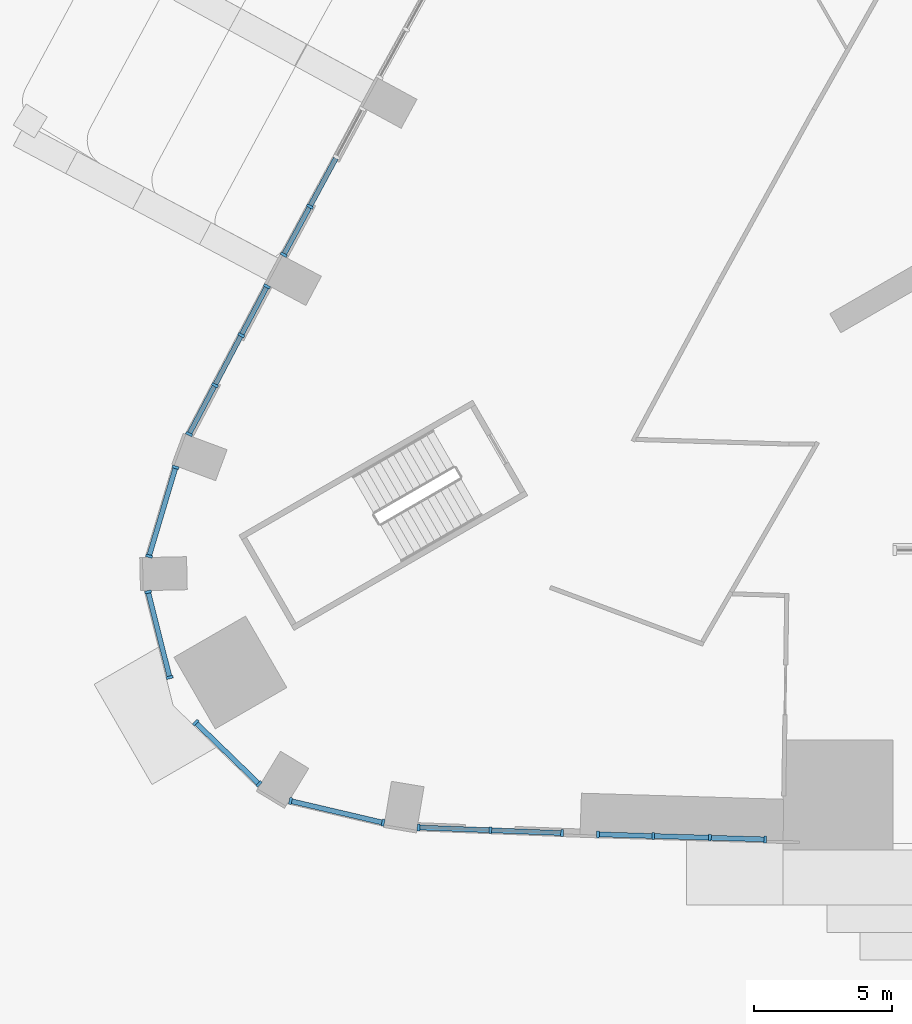
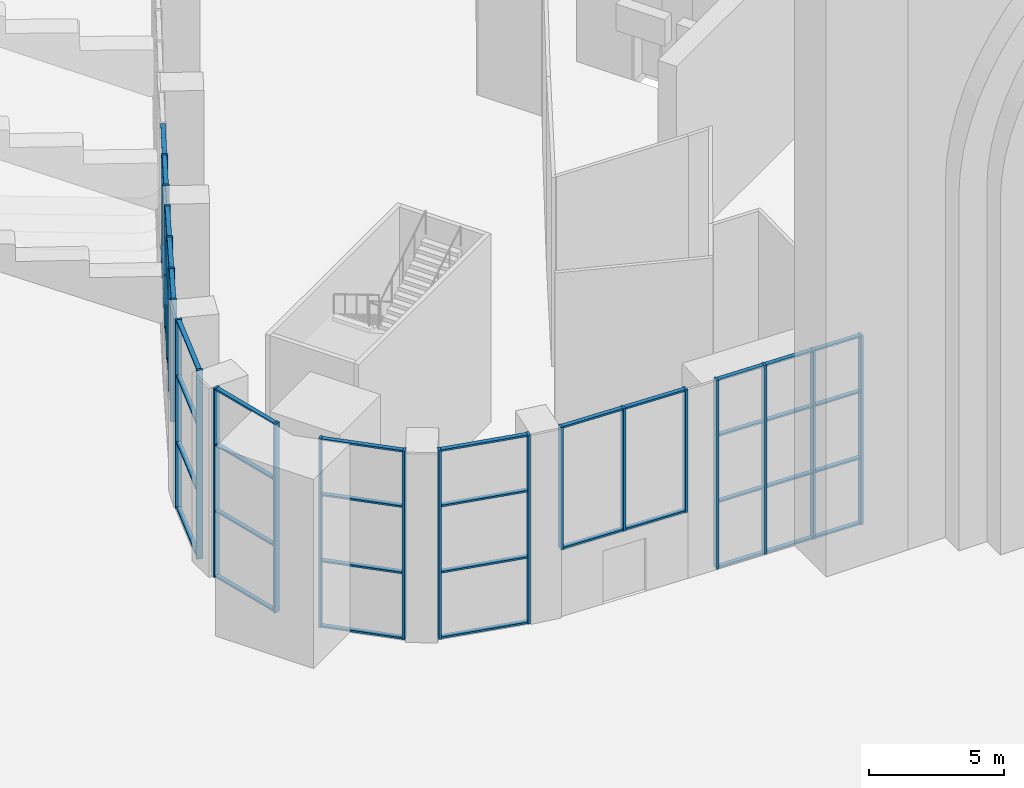
# One storey, part 2 of 36: 63 members, 8 elements without a shape of their own.
"""IFC4 building model written with IfcOpenShell, lengths in metres."""

from ifc_helpers import new_model, si_unit, direction, frame, origin, origin_2d, place, context, subcontext, project, spatial, rectangle, extrude, material, material_profile, profile_set, type_object, element, aggregate, save


model = new_model("IFC4")

# Units and contexts
model_context = context("Model", 3, precision=1e-05, world=origin(), true_north=direction((0.0, 1.0)))
body_context = subcontext(model_context, "Body", "Model", "MODEL_VIEW")
ifc_project = project(units=[si_unit("LENGTHUNIT", "METRE"), si_unit("AREAUNIT", "SQUARE_METRE"), si_unit("VOLUMEUNIT", "CUBIC_METRE"), si_unit("PLANEANGLEUNIT", "RADIAN"), si_unit("MASSUNIT", "GRAM", prefix="KILO")], contexts=[model_context])

# Site, building, storey
site_placement = place(None, origin())
site = spatial("IfcSite", under=ifc_project, at=site_placement, CompositionType="ELEMENT")
building_placement = place(site_placement, origin())
building = spatial("IfcBuilding", under=site, at=building_placement, Name="Entoto Arch Interchange Tower", CompositionType="ELEMENT")
storey_placement = place(building_placement, origin())
storey = spatial("IfcBuildingStorey", under=building, at=storey_placement, Name="L00", CompositionType="ELEMENT", Elevation=0.0)

# Curtain wall, members
ifc_material = material(Name="Aluminium, anodised", Category="aluminium")
curtain_wall_type = type_object("IfcCurtainWallType", Name="CURTAIN WALL GATE HALL", PredefinedType="NOTDEFINED", material=ifc_material)
curtain_wall_1_placement = place(storey_placement, origin())
curtain_wall_1 = element("IfcCurtainWall", 1, at=curtain_wall_1_placement, inside=storey, type_object=curtain_wall_type, Name="Gate Hall glazing S-01 L00", PredefinedType="NOTDEFINED")
ifc_material_profile_1 = material_profile(ifc_material, rectangle(XDim=0.25, YDim=0.10009765625, at=origin_2d()))
ifc_profile_set_1 = profile_set([ifc_material_profile_1], Name="Aluminium, anodised")
member_type_1 = type_object("IfcMemberType", Name="MULLION GATE HALL 100x250", PredefinedType="MULLION", material=ifc_profile_set_1)
member_1_placement = place(storey_placement, frame((-32.234130859375, -28.18505859375, 3.0), z_axis=(0.0, 0.0, 1.0), x_axis=(0.039141357085, 0.999233683462, 0.0)))
member_1 = element("IfcMember", 2, at=member_1_placement, type_object=member_type_1, Name="CWG mullion 1", PredefinedType="MULLION", context=body_context, shape_type="SweptSolid", body=[
    extrude(rectangle(XDim=0.25, YDim=0.10009765625, at=origin_2d()), origin(), (0.0, 0.0, 1.0), 5.550048828125),
])
member_2_placement = place(storey_placement, frame((-29.62890625, -28.287109375, 3.0), z_axis=(0.0, 0.0, 1.0), x_axis=(0.039141357085, 0.999233683462, 0.0)))
member_2 = element("IfcMember", 3, at=member_2_placement, type_object=member_type_1, Name="CWG mullion 2", PredefinedType="MULLION", context=body_context, shape_type="SweptSolid", body=[
    extrude(rectangle(XDim=0.25, YDim=0.10009765625, at=origin_2d()), origin(), (0.0, 0.0, 1.0), 5.550048828125),
])
member_3_placement = place(storey_placement, frame((-27.02392578125, -28.38916015625, 3.0), z_axis=(0.0, 0.0, 1.0), x_axis=(0.039141357085, 0.999233683462, 0.0)))
member_3 = element("IfcMember", 4, at=member_3_placement, type_object=member_type_1, Name="CWG mullion 3", PredefinedType="MULLION", context=body_context, shape_type="SweptSolid", body=[
    extrude(rectangle(XDim=0.25, YDim=0.10009765625, at=origin_2d()), origin(), (0.0, 0.0, 1.0), 5.550048828125),
])

curtain_wall_2_placement = place(storey_placement, origin())
curtain_wall_2 = element("IfcCurtainWall", 5, at=curtain_wall_2_placement, inside=storey, type_object=curtain_wall_type, Name="Gate Hall glazing S-02 L00", PredefinedType="NOTDEFINED")
member_4_placement = place(storey_placement, frame((-25.721923828125, -28.4345703125, 0.0), z_axis=(0.0, 0.0, 1.0), x_axis=(0.030117547985, 0.999546363759, 0.0)))
member_4 = element("IfcMember", 6, at=member_4_placement, type_object=member_type_1, Name="CWG mullion 1", PredefinedType="MULLION", context=body_context, shape_type="SweptSolid", body=[
    extrude(rectangle(XDim=0.25, YDim=0.10009765625, at=origin_2d()), origin(), (0.0, 0.0, 1.0), 8.550048828125),
])
member_5_placement = place(storey_placement, frame((-23.71435546875, -28.4951171875, 0.0), z_axis=(0.0, 0.0, 1.0), x_axis=(0.030117547985, 0.999546363759, 0.0)))
member_5 = element("IfcMember", 7, at=member_5_placement, type_object=member_type_1, Name="CWG mullion 2", PredefinedType="MULLION", context=body_context, shape_type="SweptSolid", body=[
    extrude(rectangle(XDim=0.25, YDim=0.10009765625, at=origin_2d()), origin(), (0.0, 0.0, 1.0), 8.550048828125),
])
member_6_placement = place(storey_placement, frame((-21.65673828125, -28.556884765625, 0.0), z_axis=(0.0, 0.0, 1.0), x_axis=(0.030117547985, 0.999546363759, 0.0)))
member_6 = element("IfcMember", 8, at=member_6_placement, type_object=member_type_1, Name="CWG mullion 3", PredefinedType="MULLION", context=body_context, shape_type="SweptSolid", body=[
    extrude(rectangle(XDim=0.25, YDim=0.10009765625, at=origin_2d()), origin(), (0.0, 0.0, 1.0), 8.550048828125),
])
member_7_placement = place(storey_placement, frame((-19.64892578125, -28.617431640625, 0.0), z_axis=(0.0, 0.0, 1.0), x_axis=(0.030117547985, 0.999546363759, 0.0)))
member_7 = element("IfcMember", 9, at=member_7_placement, type_object=member_type_1, Name="CWG mullion 4", PredefinedType="MULLION", context=body_context, shape_type="SweptSolid", body=[
    extrude(rectangle(XDim=0.25, YDim=0.10009765625, at=origin_2d()), origin(), (0.0, 0.0, 1.0), 8.550048828125),
])

curtain_wall_3_placement = place(storey_placement, origin())
curtain_wall_3 = element("IfcCurtainWall", 10, at=curtain_wall_3_placement, inside=storey, type_object=curtain_wall_type, Name="Gate Hall glazing NW-08 L00", PredefinedType="NOTDEFINED")
member_8_placement = place(storey_placement, frame((-36.184326171875, -5.636962890625, 3.0), z_axis=(0.0, 0.0, 1.0), x_axis=(0.880240049886, -0.474528665706, 0.0)))
member_8 = element("IfcMember", 11, at=member_8_placement, type_object=member_type_1, Name="CWG mullion 3", PredefinedType="MULLION", context=body_context, shape_type="SweptSolid", body=[
    extrude(rectangle(XDim=0.25, YDim=0.10009765625, at=origin_2d()), origin(), (0.0, 0.0, 1.0), 5.550048828125),
])
member_9_placement = place(storey_placement, frame((-37.128173828125, -7.387939453125, 3.0), z_axis=(0.0, 0.0, 1.0), x_axis=(0.880240049886, -0.474528665706, 0.0)))
member_9 = element("IfcMember", 12, at=member_9_placement, type_object=member_type_1, Name="CWG mullion 4", PredefinedType="MULLION", context=body_context, shape_type="SweptSolid", body=[
    extrude(rectangle(XDim=0.25, YDim=0.10009765625, at=origin_2d()), origin(), (0.0, 0.0, 1.0), 5.550048828125),
])

curtain_wall_4_placement = place(storey_placement, origin())
curtain_wall_4 = element("IfcCurtainWall", 13, at=curtain_wall_4_placement, inside=storey, type_object=curtain_wall_type, Name="Gate Hall glazing NW-09 L00", PredefinedType="NOTDEFINED")
member_10_placement = place(storey_placement, frame((-37.7412109375, -8.537353515625, 3.0), z_axis=(0.0, 0.0, 1.0), x_axis=(0.884749196075, -0.46606744152, 0.0)))
member_10 = element("IfcMember", 14, at=member_10_placement, type_object=member_type_1, Name="CWG mullion 1", PredefinedType="MULLION", context=body_context, shape_type="SweptSolid", body=[
    extrude(rectangle(XDim=0.25, YDim=0.10009765625, at=origin_2d()), origin(), (0.0, 0.0, 1.0), 5.550048828125),
])
member_11_placement = place(storey_placement, frame((-38.67529296875, -10.310302734375, 3.0), z_axis=(0.0, 0.0, 1.0), x_axis=(0.884749196075, -0.46606744152, 0.0)))
member_11 = element("IfcMember", 15, at=member_11_placement, type_object=member_type_1, Name="CWG mullion 2", PredefinedType="MULLION", context=body_context, shape_type="SweptSolid", body=[
    extrude(rectangle(XDim=0.25, YDim=0.10009765625, at=origin_2d()), origin(), (0.0, 0.0, 1.0), 5.550048828125),
])
member_12_placement = place(storey_placement, frame((-39.632568359375, -12.127685546875, 3.0), z_axis=(0.0, 0.0, 1.0), x_axis=(0.884749196075, -0.46606744152, 0.0)))
member_12 = element("IfcMember", 16, at=member_12_placement, type_object=member_type_1, Name="CWG mullion 3", PredefinedType="MULLION", context=body_context, shape_type="SweptSolid", body=[
    extrude(rectangle(XDim=0.25, YDim=0.10009765625, at=origin_2d()), origin(), (0.0, 0.0, 1.0), 5.550048828125),
])
member_13_placement = place(storey_placement, frame((-40.566650390625, -13.90087890625, 3.0), z_axis=(0.0, 0.0, 1.0), x_axis=(0.884749196075, -0.46606744152, 0.0)))
member_13 = element("IfcMember", 17, at=member_13_placement, type_object=member_type_1, Name="CWG mullion 4", PredefinedType="MULLION", context=body_context, shape_type="SweptSolid", body=[
    extrude(rectangle(XDim=0.25, YDim=0.10009765625, at=origin_2d()), origin(), (0.0, 0.0, 1.0), 5.550048828125),
])

curtain_wall_5_placement = place(storey_placement, origin())
curtain_wall_5 = element("IfcCurtainWall", 18, at=curtain_wall_5_placement, inside=storey, type_object=curtain_wall_type, Name="Gate Hall glazing SW-01 L00", PredefinedType="NOTDEFINED")
member_14_placement = place(storey_placement, frame((-41.059326171875, -15.10595703125, 0.0), z_axis=(0.0, 0.0, 1.0), x_axis=(0.958293303264, -0.285786537329, 0.0)))
member_14 = element("IfcMember", 19, at=member_14_placement, type_object=member_type_1, Name="CWG mullion 1", PredefinedType="MULLION", context=body_context, shape_type="SweptSolid", body=[
    extrude(rectangle(XDim=0.25, YDim=0.10009765625, at=origin_2d()), origin(), (0.0, 0.0, 1.0), 8.550048828125),
])
member_15_placement = place(storey_placement, frame((-42.021728515625, -18.3330078125, 0.0), z_axis=(0.0, 0.0, 1.0), x_axis=(0.958293303264, -0.285786537329, 0.0)))
member_15 = element("IfcMember", 20, at=member_15_placement, type_object=member_type_1, Name="CWG mullion 2", PredefinedType="MULLION", context=body_context, shape_type="SweptSolid", body=[
    extrude(rectangle(XDim=0.25, YDim=0.10009765625, at=origin_2d()), origin(), (0.0, 0.0, 1.0), 8.550048828125),
])

curtain_wall_6_placement = place(storey_placement, origin())
curtain_wall_6 = element("IfcCurtainWall", 21, at=curtain_wall_6_placement, inside=storey, type_object=curtain_wall_type, Name="Gate Hall glazing SW-02 L00", PredefinedType="NOTDEFINED")
member_16_placement = place(storey_placement, frame((-42.056884765625, -19.632568359375, 0.0), z_axis=(0.0, 0.0, 1.0), x_axis=(0.969731246263, 0.244174753037, 0.0)))
member_16 = element("IfcMember", 22, at=member_16_placement, type_object=member_type_1, Name="CWG mullion 1", PredefinedType="MULLION", context=body_context, shape_type="SweptSolid", body=[
    extrude(rectangle(XDim=0.25, YDim=0.10009765625, at=origin_2d()), origin(), (0.0, 0.0, 1.0), 8.550048828125),
])
member_17_placement = place(storey_placement, frame((-41.275146484375, -22.736572265625, 0.0), z_axis=(0.0, 0.0, 1.0), x_axis=(0.969731246263, 0.244174753037, 0.0)))
member_17 = element("IfcMember", 23, at=member_17_placement, type_object=member_type_1, Name="CWG mullion 2", PredefinedType="MULLION", context=body_context, shape_type="SweptSolid", body=[
    extrude(rectangle(XDim=0.25, YDim=0.10009765625, at=origin_2d()), origin(), (0.0, 0.0, 1.0), 8.550048828125),
])

curtain_wall_7_placement = place(storey_placement, origin())
curtain_wall_7 = element("IfcCurtainWall", 24, at=curtain_wall_7_placement, inside=storey, type_object=curtain_wall_type, Name="Gate Hall glazing SW-03 L00", PredefinedType="NOTDEFINED")
member_18_placement = place(storey_placement, frame((-40.328125, -24.376708984375, 0.0), z_axis=(0.0, 0.0, 1.0), x_axis=(0.696424910406, 0.717629670628, 0.0)))
member_18 = element("IfcMember", 25, at=member_18_placement, type_object=member_type_1, Name="CWG mullion 1", PredefinedType="MULLION", context=body_context, shape_type="SweptSolid", body=[
    extrude(rectangle(XDim=0.25, YDim=0.10009765625, at=origin_2d()), origin(), (0.0, 0.0, 1.0), 8.550048828125),
])
member_19_placement = place(storey_placement, frame((-38.03076171875, -26.606201171875, 0.0), z_axis=(0.0, 0.0, 1.0), x_axis=(0.696424910406, 0.717629670628, 0.0)))
member_19 = element("IfcMember", 26, at=member_19_placement, type_object=member_type_1, Name="CWG mullion 2", PredefinedType="MULLION", context=body_context, shape_type="SweptSolid", body=[
    extrude(rectangle(XDim=0.25, YDim=0.10009765625, at=origin_2d()), origin(), (0.0, 0.0, 1.0), 8.550048828125),
])

curtain_wall_8_placement = place(storey_placement, origin())
curtain_wall_8 = element("IfcCurtainWall", 27, at=curtain_wall_8_placement, inside=storey, type_object=curtain_wall_type, Name="Gate Hall glazing SW-04 L00", PredefinedType="NOTDEFINED")
member_20_placement = place(storey_placement, frame((-36.88623046875, -27.223388671875, 0.0), z_axis=(0.0, 0.0, 1.0), x_axis=(0.228270531722, 0.973597742575, 0.0)))
member_20 = element("IfcMember", 28, at=member_20_placement, type_object=member_type_1, Name="CWG mullion 1", PredefinedType="MULLION", context=body_context, shape_type="SweptSolid", body=[
    extrude(rectangle(XDim=0.25, YDim=0.10009765625, at=origin_2d()), origin(), (0.0, 0.0, 1.0), 8.550048828125),
])
member_21_placement = place(storey_placement, frame((-33.524658203125, -28.011474609375, 0.0), z_axis=(0.0, 0.0, 1.0), x_axis=(0.228270531722, 0.973597742575, 0.0)))
member_21 = element("IfcMember", 29, at=member_21_placement, type_object=member_type_1, Name="CWG mullion 2", PredefinedType="MULLION", context=body_context, shape_type="SweptSolid", body=[
    extrude(rectangle(XDim=0.25, YDim=0.10009765625, at=origin_2d()), origin(), (0.0, 0.0, 1.0), 8.550048828125),
])

# Member
ifc_material_profile_2 = material_profile(ifc_material, rectangle(XDim=0.179931640625, YDim=0.080078125, at=origin_2d()))
ifc_profile_set_2 = profile_set([ifc_material_profile_2], Name="Aluminium, anodised")
member_type_2 = type_object("IfcMemberType", Name="TRANSOM GATE HALL 80x180", PredefinedType="USERDEFINED", material=ifc_profile_set_2)
member_22_placement = place(storey_placement, frame((-32.18408203125, -28.18701171875, 3.0400390625), z_axis=(0.999233445308, -0.039147436411, 0.0), x_axis=(0.039147436411, 0.999233445308, 0.0)))
member_22 = element("IfcMember", 30, at=member_22_placement, type_object=member_type_2, Name="CWG transom 1.1", ObjectType="TRANSOM", PredefinedType="USERDEFINED", context=body_context, shape_type="SweptSolid", body=[
    extrude(rectangle(XDim=0.179931640625, YDim=0.080078125, at=origin_2d()), origin(), (0.0, 0.0, 1.0), 2.507080078125),
])

member_23_placement = place(storey_placement, frame((-32.18408203125, -28.18701171875, 8.510009765625), z_axis=(0.999233445308, -0.039147436411, 0.0), x_axis=(0.039147436411, 0.999233445308, 0.0)))
member_23 = element("IfcMember", 31, at=member_23_placement, type_object=member_type_2, Name="CWG transom 1.2", ObjectType="TRANSOM", PredefinedType="USERDEFINED", context=body_context, shape_type="SweptSolid", body=[
    extrude(rectangle(XDim=0.179931640625, YDim=0.080078125, at=origin_2d()), origin(), (0.0, 0.0, 1.0), 2.507080078125),
])

member_24_placement = place(storey_placement, frame((-29.5791015625, -28.2890625, 3.0400390625), z_axis=(0.999233445308, -0.039147436411, 0.0), x_axis=(0.039147436411, 0.999233445308, 0.0)))
member_24 = element("IfcMember", 32, at=member_24_placement, type_object=member_type_2, Name="CWG transom 2.1", ObjectType="TRANSOM", PredefinedType="USERDEFINED", context=body_context, shape_type="SweptSolid", body=[
    extrude(rectangle(XDim=0.179931640625, YDim=0.080078125, at=origin_2d()), origin(), (0.0, 0.0, 1.0), 2.507080078125),
])

member_25_placement = place(storey_placement, frame((-29.5791015625, -28.2890625, 8.510009765625), z_axis=(0.999233445308, -0.039147436411, 0.0), x_axis=(0.039147436411, 0.999233445308, 0.0)))
member_25 = element("IfcMember", 33, at=member_25_placement, type_object=member_type_2, Name="CWG transom 2.2", ObjectType="TRANSOM", PredefinedType="USERDEFINED", context=body_context, shape_type="SweptSolid", body=[
    extrude(rectangle(XDim=0.179931640625, YDim=0.080078125, at=origin_2d()), origin(), (0.0, 0.0, 1.0), 2.507080078125),
])

aggregate(curtain_wall_1, [member_1, member_2, member_3, member_22, member_23, member_24, member_25])

member_26_placement = place(storey_placement, frame((-25.672119140625, -28.43603515625, 0.0400390625), z_axis=(0.999548077009, -0.030060634515, 0.0), x_axis=(0.030060634515, 0.999548077009, 0.0)))
member_26 = element("IfcMember", 34, at=member_26_placement, type_object=member_type_2, Name="CWG transom 1.1", ObjectType="TRANSOM", PredefinedType="USERDEFINED", context=body_context, shape_type="SweptSolid", body=[
    extrude(rectangle(XDim=0.179931640625, YDim=0.080078125, at=origin_2d()), origin(), (0.0, 0.0, 1.0), 1.90869140625),
])

member_27_placement = place(storey_placement, frame((-25.672119140625, -28.43603515625, 3.0), z_axis=(0.999548077009, -0.030060634515, 0.0), x_axis=(0.030060634515, 0.999548077009, 0.0)))
member_27 = element("IfcMember", 35, at=member_27_placement, type_object=member_type_2, Name="CWG transom 1.2", ObjectType="TRANSOM", PredefinedType="USERDEFINED", context=body_context, shape_type="SweptSolid", body=[
    extrude(rectangle(XDim=0.179931640625, YDim=0.080078125, at=origin_2d()), origin(), (0.0, 0.0, 1.0), 1.90869140625),
])

member_28_placement = place(storey_placement, frame((-25.672119140625, -28.43603515625, 6.0), z_axis=(0.999548077009, -0.030060634515, 0.0), x_axis=(0.030060634515, 0.999548077009, 0.0)))
member_28 = element("IfcMember", 36, at=member_28_placement, type_object=member_type_2, Name="CWG transom 1.3", ObjectType="TRANSOM", PredefinedType="USERDEFINED", context=body_context, shape_type="SweptSolid", body=[
    extrude(rectangle(XDim=0.179931640625, YDim=0.080078125, at=origin_2d()), origin(), (0.0, 0.0, 1.0), 1.90869140625),
])

member_29_placement = place(storey_placement, frame((-25.672119140625, -28.43603515625, 8.510009765625), z_axis=(0.999548077009, -0.030060634515, 0.0), x_axis=(0.030060634515, 0.999548077009, 0.0)))
member_29 = element("IfcMember", 37, at=member_29_placement, type_object=member_type_2, Name="CWG transom 1.4", ObjectType="TRANSOM", PredefinedType="USERDEFINED", context=body_context, shape_type="SweptSolid", body=[
    extrude(rectangle(XDim=0.179931640625, YDim=0.080078125, at=origin_2d()), origin(), (0.0, 0.0, 1.0), 1.90869140625),
])

member_30_placement = place(storey_placement, frame((-23.664306640625, -28.49658203125, 0.0400390625), z_axis=(0.99954869558, -0.030040059313, 0.0), x_axis=(0.030040059313, 0.99954869558, 0.0)))
member_30 = element("IfcMember", 38, at=member_30_placement, type_object=member_type_2, Name="CWG transom 2.1", ObjectType="TRANSOM", PredefinedType="USERDEFINED", context=body_context, shape_type="SweptSolid", body=[
    extrude(rectangle(XDim=0.179931640625, YDim=0.080078125, at=origin_2d()), origin(), (0.0, 0.0, 1.0), 1.958740234375),
])

member_31_placement = place(storey_placement, frame((-23.664306640625, -28.49658203125, 3.0), z_axis=(0.99954869558, -0.030040059313, 0.0), x_axis=(0.030040059313, 0.99954869558, 0.0)))
member_31 = element("IfcMember", 39, at=member_31_placement, type_object=member_type_2, Name="CWG transom 2.2", ObjectType="TRANSOM", PredefinedType="USERDEFINED", context=body_context, shape_type="SweptSolid", body=[
    extrude(rectangle(XDim=0.179931640625, YDim=0.080078125, at=origin_2d()), origin(), (0.0, 0.0, 1.0), 1.958740234375),
])

member_32_placement = place(storey_placement, frame((-23.664306640625, -28.49658203125, 6.0), z_axis=(0.99954869558, -0.030040059313, 0.0), x_axis=(0.030040059313, 0.99954869558, 0.0)))
member_32 = element("IfcMember", 40, at=member_32_placement, type_object=member_type_2, Name="CWG transom 2.3", ObjectType="TRANSOM", PredefinedType="USERDEFINED", context=body_context, shape_type="SweptSolid", body=[
    extrude(rectangle(XDim=0.179931640625, YDim=0.080078125, at=origin_2d()), origin(), (0.0, 0.0, 1.0), 1.958740234375),
])

member_33_placement = place(storey_placement, frame((-23.664306640625, -28.49658203125, 8.510009765625), z_axis=(0.99954869558, -0.030040059313, 0.0), x_axis=(0.030040059313, 0.99954869558, 0.0)))
member_33 = element("IfcMember", 41, at=member_33_placement, type_object=member_type_2, Name="CWG transom 2.4", ObjectType="TRANSOM", PredefinedType="USERDEFINED", context=body_context, shape_type="SweptSolid", body=[
    extrude(rectangle(XDim=0.179931640625, YDim=0.080078125, at=origin_2d()), origin(), (0.0, 0.0, 1.0), 1.958740234375),
])

member_34_placement = place(storey_placement, frame((-21.606689453125, -28.55859375, 0.0400390625), z_axis=(0.999548077009, -0.030060634515, 0.0), x_axis=(0.030060634515, 0.999548077009, 0.0)))
member_34 = element("IfcMember", 42, at=member_34_placement, type_object=member_type_2, Name="CWG transom 3.1", ObjectType="TRANSOM", PredefinedType="USERDEFINED", context=body_context, shape_type="SweptSolid", body=[
    extrude(rectangle(XDim=0.179931640625, YDim=0.080078125, at=origin_2d()), origin(), (0.0, 0.0, 1.0), 1.90869140625),
])

member_35_placement = place(storey_placement, frame((-21.606689453125, -28.55859375, 3.0), z_axis=(0.999548077009, -0.030060634515, 0.0), x_axis=(0.030060634515, 0.999548077009, 0.0)))
member_35 = element("IfcMember", 43, at=member_35_placement, type_object=member_type_2, Name="CWG transom 3.2", ObjectType="TRANSOM", PredefinedType="USERDEFINED", context=body_context, shape_type="SweptSolid", body=[
    extrude(rectangle(XDim=0.179931640625, YDim=0.080078125, at=origin_2d()), origin(), (0.0, 0.0, 1.0), 1.90869140625),
])

member_36_placement = place(storey_placement, frame((-21.606689453125, -28.55859375, 6.0), z_axis=(0.999548077009, -0.030060634515, 0.0), x_axis=(0.030060634515, 0.999548077009, 0.0)))
member_36 = element("IfcMember", 44, at=member_36_placement, type_object=member_type_2, Name="CWG transom 3.3", ObjectType="TRANSOM", PredefinedType="USERDEFINED", context=body_context, shape_type="SweptSolid", body=[
    extrude(rectangle(XDim=0.179931640625, YDim=0.080078125, at=origin_2d()), origin(), (0.0, 0.0, 1.0), 1.90869140625),
])

member_37_placement = place(storey_placement, frame((-21.606689453125, -28.55859375, 8.510009765625), z_axis=(0.999548077009, -0.030060634515, 0.0), x_axis=(0.030060634515, 0.999548077009, 0.0)))
member_37 = element("IfcMember", 45, at=member_37_placement, type_object=member_type_2, Name="CWG transom 3.4", ObjectType="TRANSOM", PredefinedType="USERDEFINED", context=body_context, shape_type="SweptSolid", body=[
    extrude(rectangle(XDim=0.179931640625, YDim=0.080078125, at=origin_2d()), origin(), (0.0, 0.0, 1.0), 1.90869140625),
])

aggregate(curtain_wall_2, [member_4, member_5, member_6, member_7, member_26, member_27, member_28, member_29, member_30, member_31, member_32, member_33, member_34, member_35, member_36, member_37])

member_38_placement = place(storey_placement, frame((-35.240478515625, -3.885986328125, 3.0400390625), z_axis=(-0.474497671634, -0.880256757778, 0.0), x_axis=(0.880256757778, -0.474497671634, 0.0)))
member_38 = element("IfcMember", 46, at=member_38_placement, type_object=member_type_2, Name="CWG transom 2.1", ObjectType="TRANSOM", PredefinedType="USERDEFINED", context=body_context, shape_type="SweptSolid", body=[
    extrude(rectangle(XDim=0.179931640625, YDim=0.080078125, at=origin_2d()), origin(), (0.0, 0.0, 1.0), 1.939208984375),
])

member_39_placement = place(storey_placement, frame((-35.240478515625, -3.885986328125, 8.510009765625), z_axis=(-0.474497671634, -0.880256757778, 0.0), x_axis=(0.880256757778, -0.474497671634, 0.0)))
member_39 = element("IfcMember", 47, at=member_39_placement, type_object=member_type_2, Name="CWG transom 2.2", ObjectType="TRANSOM", PredefinedType="USERDEFINED", context=body_context, shape_type="SweptSolid", body=[
    extrude(rectangle(XDim=0.179931640625, YDim=0.080078125, at=origin_2d()), origin(), (0.0, 0.0, 1.0), 1.939208984375),
])

member_40_placement = place(storey_placement, frame((-36.2080078125, -5.680908203125, 3.0400390625), z_axis=(-0.474500478405, -0.880255244797, 0.0), x_axis=(0.880255244797, -0.474500478405, 0.0)))
member_40 = element("IfcMember", 48, at=member_40_placement, type_object=member_type_2, Name="CWG transom 3.1", ObjectType="TRANSOM", PredefinedType="USERDEFINED", context=body_context, shape_type="SweptSolid", body=[
    extrude(rectangle(XDim=0.179931640625, YDim=0.080078125, at=origin_2d()), origin(), (0.0, 0.0, 1.0), 1.889404296875),
])

member_41_placement = place(storey_placement, frame((-36.2080078125, -5.680908203125, 8.510009765625), z_axis=(-0.474500478405, -0.880255244797, 0.0), x_axis=(0.880255244797, -0.474500478405, 0.0)))
member_41 = element("IfcMember", 49, at=member_41_placement, type_object=member_type_2, Name="CWG transom 3.2", ObjectType="TRANSOM", PredefinedType="USERDEFINED", context=body_context, shape_type="SweptSolid", body=[
    extrude(rectangle(XDim=0.179931640625, YDim=0.080078125, at=origin_2d()), origin(), (0.0, 0.0, 1.0), 1.889404296875),
])

aggregate(curtain_wall_3, [member_8, member_9, member_38, member_39, member_40, member_41])

member_42_placement = place(storey_placement, frame((-37.7646484375, -8.58154296875, 3.0400390625), z_axis=(-0.466089901357, -0.884737364336, 0.0), x_axis=(0.884737364336, -0.466089901357, 0.0)))
member_42 = element("IfcMember", 50, at=member_42_placement, type_object=member_type_2, Name="CWG transom 1.1", ObjectType="TRANSOM", PredefinedType="USERDEFINED", context=body_context, shape_type="SweptSolid", body=[
    extrude(rectangle(XDim=0.179931640625, YDim=0.080078125, at=origin_2d()), origin(), (0.0, 0.0, 1.0), 1.904052734375),
])

member_43_placement = place(storey_placement, frame((-37.7646484375, -8.58154296875, 8.510009765625), z_axis=(-0.466089901357, -0.884737364336, 0.0), x_axis=(0.884737364336, -0.466089901357, 0.0)))
member_43 = element("IfcMember", 51, at=member_43_placement, type_object=member_type_2, Name="CWG transom 1.2", ObjectType="TRANSOM", PredefinedType="USERDEFINED", context=body_context, shape_type="SweptSolid", body=[
    extrude(rectangle(XDim=0.179931640625, YDim=0.080078125, at=origin_2d()), origin(), (0.0, 0.0, 1.0), 1.904052734375),
])

member_44_placement = place(storey_placement, frame((-38.69873046875, -10.3544921875, 3.0400390625), z_axis=(-0.466003869331, -0.884782681662, 0.0), x_axis=(0.884782681662, -0.466003869331, 0.0)))
member_44 = element("IfcMember", 52, at=member_44_placement, type_object=member_type_2, Name="CWG transom 2.1", ObjectType="TRANSOM", PredefinedType="USERDEFINED", context=body_context, shape_type="SweptSolid", body=[
    extrude(rectangle(XDim=0.179931640625, YDim=0.080078125, at=origin_2d()), origin(), (0.0, 0.0, 1.0), 1.9541015625),
])

member_45_placement = place(storey_placement, frame((-38.69873046875, -10.3544921875, 8.510009765625), z_axis=(-0.466003869331, -0.884782681662, 0.0), x_axis=(0.884782681662, -0.466003869331, 0.0)))
member_45 = element("IfcMember", 53, at=member_45_placement, type_object=member_type_2, Name="CWG transom 2.2", ObjectType="TRANSOM", PredefinedType="USERDEFINED", context=body_context, shape_type="SweptSolid", body=[
    extrude(rectangle(XDim=0.179931640625, YDim=0.080078125, at=origin_2d()), origin(), (0.0, 0.0, 1.0), 1.9541015625),
])

member_46_placement = place(storey_placement, frame((-39.656005859375, -12.171875, 3.0400390625), z_axis=(-0.466089901357, -0.884737364336, 0.0), x_axis=(0.884737364336, -0.466089901357, 0.0)))
member_46 = element("IfcMember", 54, at=member_46_placement, type_object=member_type_2, Name="CWG transom 3.1", ObjectType="TRANSOM", PredefinedType="USERDEFINED", context=body_context, shape_type="SweptSolid", body=[
    extrude(rectangle(XDim=0.179931640625, YDim=0.080078125, at=origin_2d()), origin(), (0.0, 0.0, 1.0), 1.904052734375),
])

member_47_placement = place(storey_placement, frame((-39.656005859375, -12.171875, 8.510009765625), z_axis=(-0.466089901357, -0.884737364336, 0.0), x_axis=(0.884737364336, -0.466089901357, 0.0)))
member_47 = element("IfcMember", 55, at=member_47_placement, type_object=member_type_2, Name="CWG transom 3.2", ObjectType="TRANSOM", PredefinedType="USERDEFINED", context=body_context, shape_type="SweptSolid", body=[
    extrude(rectangle(XDim=0.179931640625, YDim=0.080078125, at=origin_2d()), origin(), (0.0, 0.0, 1.0), 1.904052734375),
])

aggregate(curtain_wall_4, [member_10, member_11, member_12, member_13, member_42, member_43, member_44, member_45, member_46, member_47])

member_48_placement = place(storey_placement, frame((-41.073486328125, -15.15380859375, 0.0400390625), z_axis=(-0.285784658375, -0.958293863613, 0.0), x_axis=(0.958293863613, -0.285784658375, 0.0)))
member_48 = element("IfcMember", 56, at=member_48_placement, type_object=member_type_2, Name="CWG transom 1.1", ObjectType="TRANSOM", PredefinedType="USERDEFINED", context=body_context, shape_type="SweptSolid", body=[
    extrude(rectangle(XDim=0.179931640625, YDim=0.080078125, at=origin_2d()), origin(), (0.0, 0.0, 1.0), 3.267578125),
])

member_49_placement = place(storey_placement, frame((-41.073486328125, -15.15380859375, 3.0), z_axis=(-0.285784658375, -0.958293863613, 0.0), x_axis=(0.958293863613, -0.285784658375, 0.0)))
member_49 = element("IfcMember", 57, at=member_49_placement, type_object=member_type_2, Name="CWG transom 1.2", ObjectType="TRANSOM", PredefinedType="USERDEFINED", context=body_context, shape_type="SweptSolid", body=[
    extrude(rectangle(XDim=0.179931640625, YDim=0.080078125, at=origin_2d()), origin(), (0.0, 0.0, 1.0), 3.267578125),
])

member_50_placement = place(storey_placement, frame((-41.073486328125, -15.15380859375, 6.0), z_axis=(-0.285784658375, -0.958293863613, 0.0), x_axis=(0.958293863613, -0.285784658375, 0.0)))
member_50 = element("IfcMember", 58, at=member_50_placement, type_object=member_type_2, Name="CWG transom 1.3", ObjectType="TRANSOM", PredefinedType="USERDEFINED", context=body_context, shape_type="SweptSolid", body=[
    extrude(rectangle(XDim=0.179931640625, YDim=0.080078125, at=origin_2d()), origin(), (0.0, 0.0, 1.0), 3.267578125),
])

member_51_placement = place(storey_placement, frame((-41.073486328125, -15.15380859375, 8.510009765625), z_axis=(-0.285784658375, -0.958293863613, 0.0), x_axis=(0.958293863613, -0.285784658375, 0.0)))
member_51 = element("IfcMember", 59, at=member_51_placement, type_object=member_type_2, Name="CWG transom 1.4", ObjectType="TRANSOM", PredefinedType="USERDEFINED", context=body_context, shape_type="SweptSolid", body=[
    extrude(rectangle(XDim=0.179931640625, YDim=0.080078125, at=origin_2d()), origin(), (0.0, 0.0, 1.0), 3.267578125),
])

aggregate(curtain_wall_5, [member_14, member_15, member_48, member_49, member_50, member_51])

member_52_placement = place(storey_placement, frame((-42.044677734375, -19.680908203125, 0.0400390625), z_axis=(0.244221010922, -0.969719597525, 0.0), x_axis=(0.969719597525, 0.244221010922, 0.0)))
member_52 = element("IfcMember", 60, at=member_52_placement, type_object=member_type_2, Name="CWG transom 1.1", ObjectType="TRANSOM", PredefinedType="USERDEFINED", context=body_context, shape_type="SweptSolid", body=[
    extrude(rectangle(XDim=0.179931640625, YDim=0.080078125, at=origin_2d()), origin(), (0.0, 0.0, 1.0), 3.10107421875),
])

member_53_placement = place(storey_placement, frame((-42.044677734375, -19.680908203125, 3.0), z_axis=(0.244221010922, -0.969719597525, 0.0), x_axis=(0.969719597525, 0.244221010922, 0.0)))
member_53 = element("IfcMember", 61, at=member_53_placement, type_object=member_type_2, Name="CWG transom 1.2", ObjectType="TRANSOM", PredefinedType="USERDEFINED", context=body_context, shape_type="SweptSolid", body=[
    extrude(rectangle(XDim=0.179931640625, YDim=0.080078125, at=origin_2d()), origin(), (0.0, 0.0, 1.0), 3.10107421875),
])

member_54_placement = place(storey_placement, frame((-42.044677734375, -19.680908203125, 6.0), z_axis=(0.244221010922, -0.969719597525, 0.0), x_axis=(0.969719597525, 0.244221010922, 0.0)))
member_54 = element("IfcMember", 62, at=member_54_placement, type_object=member_type_2, Name="CWG transom 1.3", ObjectType="TRANSOM", PredefinedType="USERDEFINED", context=body_context, shape_type="SweptSolid", body=[
    extrude(rectangle(XDim=0.179931640625, YDim=0.080078125, at=origin_2d()), origin(), (0.0, 0.0, 1.0), 3.10107421875),
])

member_55_placement = place(storey_placement, frame((-42.044677734375, -19.680908203125, 8.510009765625), z_axis=(0.244221010922, -0.969719597525, 0.0), x_axis=(0.969719597525, 0.244221010922, 0.0)))
member_55 = element("IfcMember", 63, at=member_55_placement, type_object=member_type_2, Name="CWG transom 1.4", ObjectType="TRANSOM", PredefinedType="USERDEFINED", context=body_context, shape_type="SweptSolid", body=[
    extrude(rectangle(XDim=0.179931640625, YDim=0.080078125, at=origin_2d()), origin(), (0.0, 0.0, 1.0), 3.10107421875),
])

aggregate(curtain_wall_6, [member_16, member_17, member_52, member_53, member_54, member_55])

member_56_placement = place(storey_placement, frame((-40.292236328125, -24.41162109375, 0.0400390625), z_axis=(0.717654748442, -0.696399068091, 0.0), x_axis=(0.696399068091, 0.717654748442, 0.0)))
member_56 = element("IfcMember", 64, at=member_56_placement, type_object=member_type_2, Name="CWG transom 1.1", ObjectType="TRANSOM", PredefinedType="USERDEFINED", context=body_context, shape_type="SweptSolid", body=[
    extrude(rectangle(XDim=0.179931640625, YDim=0.080078125, at=origin_2d()), origin(), (0.0, 0.0, 1.0), 3.10107421875),
])

member_57_placement = place(storey_placement, frame((-40.292236328125, -24.41162109375, 3.0), z_axis=(0.717654748442, -0.696399068091, 0.0), x_axis=(0.696399068091, 0.717654748442, 0.0)))
member_57 = element("IfcMember", 65, at=member_57_placement, type_object=member_type_2, Name="CWG transom 1.2", ObjectType="TRANSOM", PredefinedType="USERDEFINED", context=body_context, shape_type="SweptSolid", body=[
    extrude(rectangle(XDim=0.179931640625, YDim=0.080078125, at=origin_2d()), origin(), (0.0, 0.0, 1.0), 3.10107421875),
])

member_58_placement = place(storey_placement, frame((-40.292236328125, -24.41162109375, 6.0), z_axis=(0.717654748442, -0.696399068091, 0.0), x_axis=(0.696399068091, 0.717654748442, 0.0)))
member_58 = element("IfcMember", 66, at=member_58_placement, type_object=member_type_2, Name="CWG transom 1.3", ObjectType="TRANSOM", PredefinedType="USERDEFINED", context=body_context, shape_type="SweptSolid", body=[
    extrude(rectangle(XDim=0.179931640625, YDim=0.080078125, at=origin_2d()), origin(), (0.0, 0.0, 1.0), 3.10107421875),
])

member_59_placement = place(storey_placement, frame((-40.292236328125, -24.41162109375, 8.510009765625), z_axis=(0.717654748442, -0.696399068091, 0.0), x_axis=(0.696399068091, 0.717654748442, 0.0)))
member_59 = element("IfcMember", 67, at=member_59_placement, type_object=member_type_2, Name="CWG transom 1.4", ObjectType="TRANSOM", PredefinedType="USERDEFINED", context=body_context, shape_type="SweptSolid", body=[
    extrude(rectangle(XDim=0.179931640625, YDim=0.080078125, at=origin_2d()), origin(), (0.0, 0.0, 1.0), 3.10107421875),
])

aggregate(curtain_wall_7, [member_18, member_19, member_56, member_57, member_58, member_59])

member_60_placement = place(storey_placement, frame((-36.837646484375, -27.23486328125, 0.0400390625), z_axis=(0.973597349591, -0.228272207835, 0.0), x_axis=(0.228272207835, 0.973597349591, 0.0)))
member_60 = element("IfcMember", 68, at=member_60_placement, type_object=member_type_2, Name="CWG transom 1.1", ObjectType="TRANSOM", PredefinedType="USERDEFINED", context=body_context, shape_type="SweptSolid", body=[
    extrude(rectangle(XDim=0.179931640625, YDim=0.080078125, at=origin_2d()), origin(), (0.0, 0.0, 1.0), 3.35302734375),
])

member_61_placement = place(storey_placement, frame((-36.837646484375, -27.23486328125, 3.0), z_axis=(0.973597349591, -0.228272207835, 0.0), x_axis=(0.228272207835, 0.973597349591, 0.0)))
member_61 = element("IfcMember", 69, at=member_61_placement, type_object=member_type_2, Name="CWG transom 1.2", ObjectType="TRANSOM", PredefinedType="USERDEFINED", context=body_context, shape_type="SweptSolid", body=[
    extrude(rectangle(XDim=0.179931640625, YDim=0.080078125, at=origin_2d()), origin(), (0.0, 0.0, 1.0), 3.35302734375),
])

member_62_placement = place(storey_placement, frame((-36.837646484375, -27.23486328125, 6.0), z_axis=(0.973597349591, -0.228272207835, 0.0), x_axis=(0.228272207835, 0.973597349591, 0.0)))
member_62 = element("IfcMember", 70, at=member_62_placement, type_object=member_type_2, Name="CWG transom 1.3", ObjectType="TRANSOM", PredefinedType="USERDEFINED", context=body_context, shape_type="SweptSolid", body=[
    extrude(rectangle(XDim=0.179931640625, YDim=0.080078125, at=origin_2d()), origin(), (0.0, 0.0, 1.0), 3.35302734375),
])

member_63_placement = place(storey_placement, frame((-36.837646484375, -27.23486328125, 8.510009765625), z_axis=(0.973597349591, -0.228272207835, 0.0), x_axis=(0.228272207835, 0.973597349591, 0.0)))
member_63 = element("IfcMember", 71, at=member_63_placement, type_object=member_type_2, Name="CWG transom 1.4", ObjectType="TRANSOM", PredefinedType="USERDEFINED", context=body_context, shape_type="SweptSolid", body=[
    extrude(rectangle(XDim=0.179931640625, YDim=0.080078125, at=origin_2d()), origin(), (0.0, 0.0, 1.0), 3.35302734375),
])

aggregate(curtain_wall_8, [member_20, member_21, member_60, member_61, member_62, member_63])

save(model, "model.ifc")
